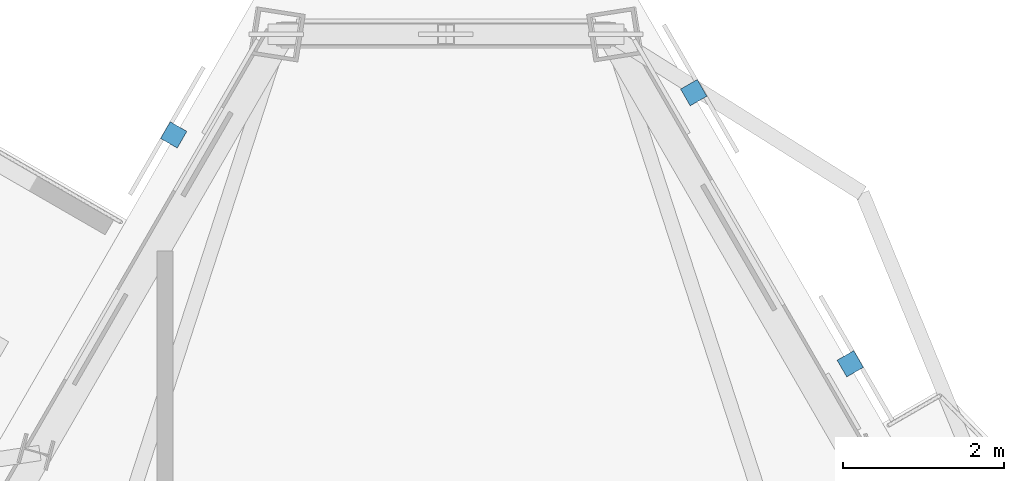
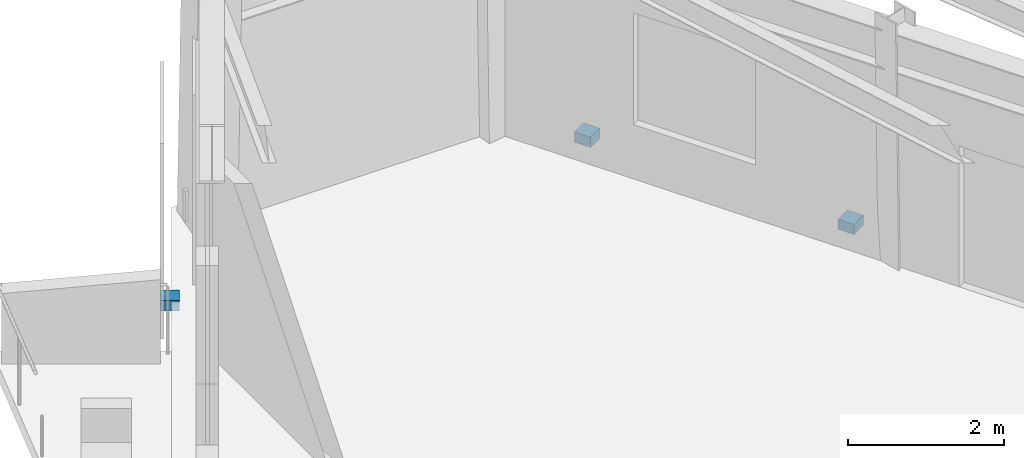
# One storey, part 11 of 15: 3 discrete accessories.
"""IFC4 building model written with IfcOpenShell, lengths in metres."""

from ifc_helpers import new_model, si_unit, direction, frame, origin, origin_2d, place, context, subcontext, project, spatial, rectangle, extrude, element, save


model = new_model("IFC4")

# Units and contexts
model_context = context("Model", 3, precision=1e-05, world=origin(), true_north=direction((0.0, 1.0)))
body_context = subcontext(model_context, "Body", "Model", "MODEL_VIEW")
ifc_project = project(units=[si_unit("LENGTHUNIT", "METRE"), si_unit("AREAUNIT", "SQUARE_METRE"), si_unit("VOLUMEUNIT", "CUBIC_METRE"), si_unit("PLANEANGLEUNIT", "RADIAN"), si_unit("MASSUNIT", "GRAM", prefix="KILO")], contexts=[model_context])

# Site, building, storey
site_placement = place(None, origin())
site = spatial("IfcSite", under=ifc_project, at=site_placement, CompositionType="ELEMENT")
building_placement = place(site_placement, origin())
building = spatial("IfcBuilding", under=site, at=building_placement, Name="Oramaril Tower", CompositionType="ELEMENT")
storey_placement = place(building_placement, frame((0.0, 0.0, 288.89990234375)))
storey = spatial("IfcBuildingStorey", under=building, at=storey_placement, Name="L76", CompositionType="ELEMENT", Elevation=288.89990234375)

# Discrete accessories
for number, where, z_axis, x_axis, name in (
    (1, (42.536865234375, 38.881103515625, -0.1396484375), (0.0, 0.0, 1.0), (-0.499996976998, 0.866027149108, 0.0), "L76 Solar Screen Slab Bracket"),
    (2, (40.5869140625, 42.258544921875, -0.1396484375), (0.0, 0.0, 1.0), (-0.499996976998, 0.866027149108, 0.0), "L76 Solar Screen Slab Bracket"),
    (3, (34.109130859375, 41.73193359375, -0.1396484375), (0.0, 0.0, 1.0), (-0.4999984885, -0.866026276448, 0.0), "L76 Solar Screen Slab Bracket"),
):
    element("IfcDiscreteAccessory", number, at=place(storey_placement, frame(where, z_axis=z_axis, x_axis=x_axis)), inside=storey, Name=name, PredefinedType="BRACKET", context=body_context, shape_type="SweptSolid", body=[
        extrude(rectangle(XDim=0.239990234375, YDim=0.239990234375, at=origin_2d()), origin(), (0.0, 0.0, 1.0), 0.159912109375),
    ])

save(model, "model.ifc")
